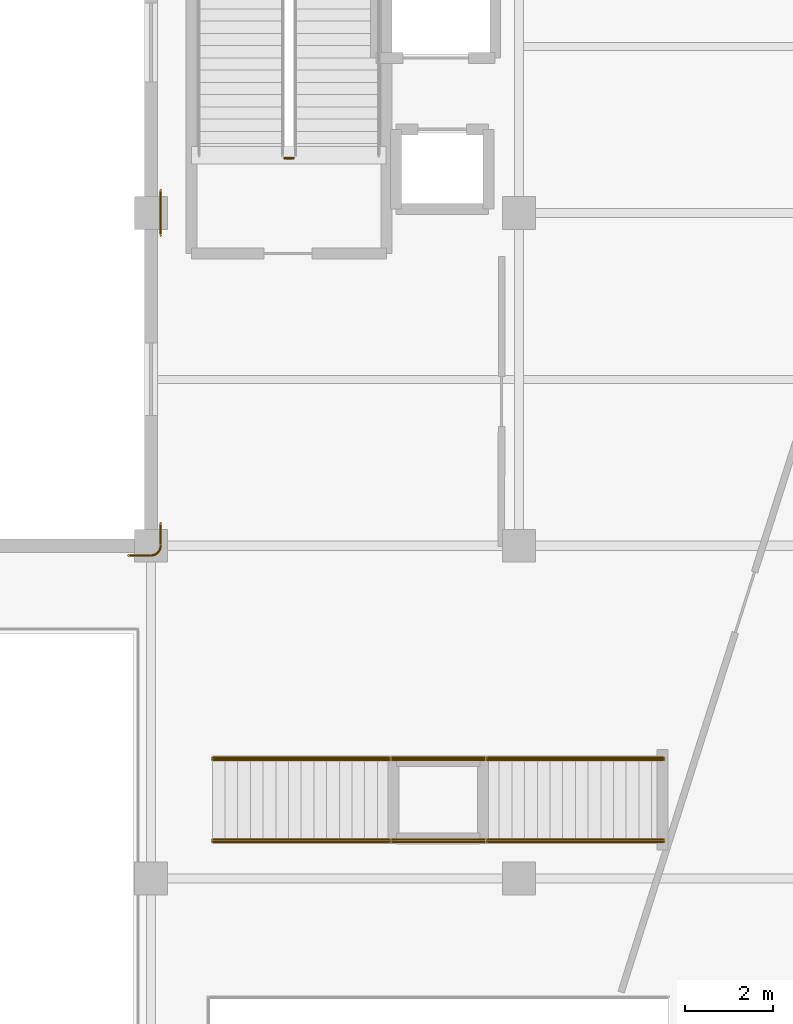
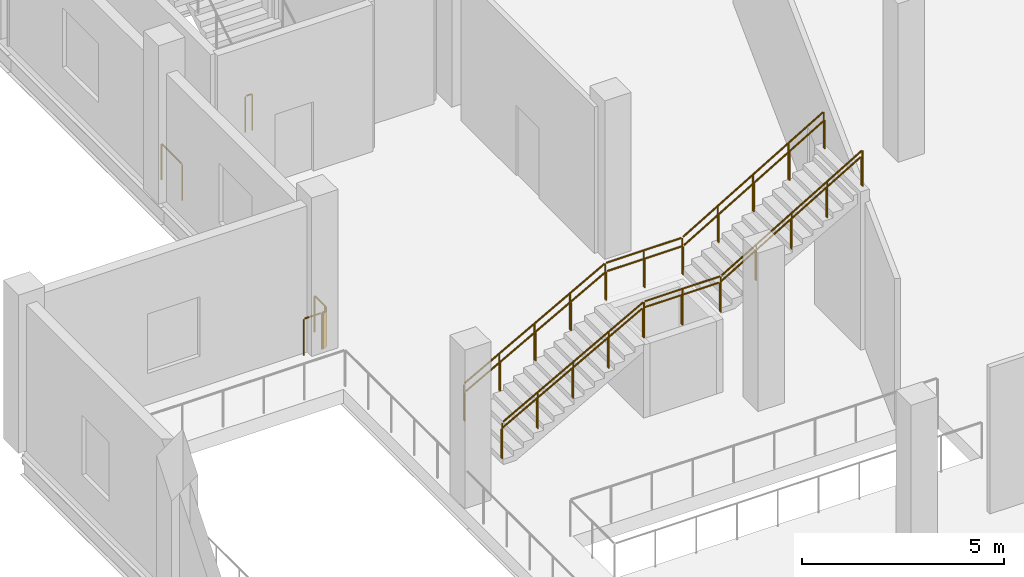
# One storey, part 35 of 51: 7 railings.
"""IFC4 building model written with IfcOpenShell, lengths in metres."""

from ifc_helpers import new_model, si_unit, direction, frame, origin, origin_2d, place, context, subcontext, project, spatial, circle, extrude, material, type_object, element, save


model = new_model("IFC4")

# Units and contexts
model_context = context("Model", 3, precision=1e-05, world=origin(), true_north=direction((0.0, 1.0)))
body_context = subcontext(model_context, "Body", "Model", "MODEL_VIEW")
ifc_project = project(units=[si_unit("LENGTHUNIT", "METRE"), si_unit("AREAUNIT", "SQUARE_METRE"), si_unit("VOLUMEUNIT", "CUBIC_METRE"), si_unit("PLANEANGLEUNIT", "RADIAN"), si_unit("MASSUNIT", "GRAM", prefix="KILO")], contexts=[model_context])

# Site, building, storey
site_placement = place(None, origin())
site = spatial("IfcSite", under=ifc_project, at=site_placement, CompositionType="ELEMENT")
building_placement = place(site_placement, origin())
building = spatial("IfcBuilding", under=site, at=building_placement, Name="Zuvorla Pavilion Media Centre", CompositionType="ELEMENT")
storey_placement = place(building_placement, frame((0.0, 0.0, 4.800048828125)))
storey = spatial("IfcBuildingStorey", under=building, at=storey_placement, Name="L01", CompositionType="ELEMENT", Elevation=4.800048828125)

# Railings
ifc_material_1 = material(Name="Powder-coated steel balustrade guard", Category="steel")
railing_type_1 = type_object("IfcRailingType", Name="RL-INT-GRD", PredefinedType="BALUSTRADE", material=ifc_material_1)
railing_1_placement = place(storey_placement, frame((44.85009765625, 37.64990234375, 0.0)))
element("IfcRailing", 1, at=railing_1_placement, inside=storey, type_object=railing_type_1, Name="L01 ST-03 stair guard 4", PredefinedType="BALUSTRADE", context=body_context, shape_type="SweptSolid", body=[
    extrude(circle(Radius=0.02392578125, at=origin_2d()), frame((-0.02880859375, 0.0, 1.09619140625), z_axis=(-1.0, 0.0, 0.0), x_axis=(0.0, -1.0, 0.0)), (0.0, 0.0, 1.0), 0.142578125),
    extrude(circle(Radius=0.02099609375, at=origin_2d()), origin(), (0.0, 0.0, 1.0), 1.070068359375),
    extrude(circle(Radius=0.02099609375, at=origin_2d()), frame((-0.2001953125, 0.0, 0.0)), (0.0, 0.0, 1.0), 1.070068359375),
])
railing_2_placement = place(storey_placement, frame((43.0, 22.0400390625, 0.159912109375)))
element("IfcRailing", 2, at=railing_2_placement, inside=storey, type_object=railing_type_1, Name="ST-08 side guard S", PredefinedType="BALUSTRADE", context=body_context, shape_type="SweptSolid", body=[
    extrude(circle(Radius=0.02392578125, at=origin_2d()), frame((0.025146484375, 0.0, 1.110107421875), z_axis=(0.875581523614, 0.0, 0.483070383594), x_axis=(0.0, 1.0, 0.0)), (0.0, 0.0, 1.0), 4.579345703125),
    extrude(circle(Radius=0.02392578125, at=origin_2d()), frame((4.0888671875, 0.0, 3.3359375), z_axis=(1.0, 0.0, 0.0), x_axis=(0.0, 1.0, 0.0)), (0.0, 0.0, 1.0), 2.142333984375),
    extrude(circle(Radius=0.02392578125, at=origin_2d()), frame((6.284912109375, 0.0, 3.350830078125), z_axis=(0.860831705478, 0.0, 0.508889747237), x_axis=(0.0, 1.0, 0.0)), (0.0, 0.0, 1.0), 4.65869140625),
    extrude(circle(Radius=0.02099609375, at=origin_2d()), origin(), (0.0, 0.0, 1.0), 1.070068359375),
    extrude(circle(Radius=0.02099609375, at=origin_2d()), frame((1.01513671875, 0.0, 0.56005859375)), (0.0, 0.0, 1.0), 1.070068359375),
    extrude(circle(Radius=0.02099609375, at=origin_2d()), frame((2.030029296875, 0.0, 1.1201171875)), (0.0, 0.0, 1.0), 1.070068359375),
    extrude(circle(Radius=0.02099609375, at=origin_2d()), frame((3.044921875, 0.0, 1.679931640625)), (0.0, 0.0, 1.0), 1.070068359375),
    extrude(circle(Radius=0.02099609375, at=origin_2d()), frame((4.06005859375, 0.0, 2.239990234375)), (0.0, 0.0, 1.0), 1.070068359375),
    extrude(circle(Radius=0.02099609375, at=origin_2d()), frame((5.16015625, 0.0, 2.239990234375)), (0.0, 0.0, 1.0), 1.070068359375),
    extrude(circle(Radius=0.02099609375, at=origin_2d()), frame((6.260009765625, 0.0, 2.239990234375)), (0.0, 0.0, 1.0), 1.070068359375),
    extrude(circle(Radius=0.02099609375, at=origin_2d()), frame((7.27490234375, 0.0, 2.840087890625)), (0.0, 0.0, 1.0), 1.070068359375),
    extrude(circle(Radius=0.02099609375, at=origin_2d()), frame((8.2900390625, 0.0, 3.43994140625)), (0.0, 0.0, 1.0), 1.070068359375),
    extrude(circle(Radius=0.02099609375, at=origin_2d()), frame((9.30517578125, 0.0, 4.0400390625)), (0.0, 0.0, 1.0), 1.070068359375),
    extrude(circle(Radius=0.02099609375, at=origin_2d()), frame((10.320068359375, 0.0, 4.64013671875)), (0.0, 0.0, 1.0), 1.070068359375),
])
railing_3_placement = place(storey_placement, frame((43.0, 23.9599609375, 0.159912109375)))
element("IfcRailing", 3, at=railing_3_placement, inside=storey, type_object=railing_type_1, Name="ST-08 side guard N", PredefinedType="BALUSTRADE", context=body_context, shape_type="SweptSolid", body=[
    extrude(circle(Radius=0.02392578125, at=origin_2d()), frame((0.025146484375, 0.0, 1.110107421875), z_axis=(0.875581523614, 0.0, 0.483070383594), x_axis=(0.0, 1.0, 0.0)), (0.0, 0.0, 1.0), 4.579345703125),
    extrude(circle(Radius=0.02392578125, at=origin_2d()), frame((4.0888671875, 0.0, 3.3359375), z_axis=(1.0, 0.0, 0.0), x_axis=(0.0, 1.0, 0.0)), (0.0, 0.0, 1.0), 2.142333984375),
    extrude(circle(Radius=0.02392578125, at=origin_2d()), frame((6.284912109375, 0.0, 3.350830078125), z_axis=(0.860831705478, 0.0, 0.508889747237), x_axis=(0.0, 1.0, 0.0)), (0.0, 0.0, 1.0), 4.65869140625),
    extrude(circle(Radius=0.02099609375, at=origin_2d()), origin(), (0.0, 0.0, 1.0), 1.070068359375),
    extrude(circle(Radius=0.02099609375, at=origin_2d()), frame((1.01513671875, 0.0, 0.56005859375)), (0.0, 0.0, 1.0), 1.070068359375),
    extrude(circle(Radius=0.02099609375, at=origin_2d()), frame((2.030029296875, 0.0, 1.1201171875)), (0.0, 0.0, 1.0), 1.070068359375),
    extrude(circle(Radius=0.02099609375, at=origin_2d()), frame((3.044921875, 0.0, 1.679931640625)), (0.0, 0.0, 1.0), 1.070068359375),
    extrude(circle(Radius=0.02099609375, at=origin_2d()), frame((4.06005859375, 0.0, 2.239990234375)), (0.0, 0.0, 1.0), 1.070068359375),
    extrude(circle(Radius=0.02099609375, at=origin_2d()), frame((5.16015625, 0.0, 2.239990234375)), (0.0, 0.0, 1.0), 1.070068359375),
    extrude(circle(Radius=0.02099609375, at=origin_2d()), frame((6.260009765625, 0.0, 2.239990234375)), (0.0, 0.0, 1.0), 1.070068359375),
    extrude(circle(Radius=0.02099609375, at=origin_2d()), frame((7.27490234375, 0.0, 2.840087890625)), (0.0, 0.0, 1.0), 1.070068359375),
    extrude(circle(Radius=0.02099609375, at=origin_2d()), frame((8.2900390625, 0.0, 3.43994140625)), (0.0, 0.0, 1.0), 1.070068359375),
    extrude(circle(Radius=0.02099609375, at=origin_2d()), frame((9.30517578125, 0.0, 4.0400390625)), (0.0, 0.0, 1.0), 1.070068359375),
    extrude(circle(Radius=0.02099609375, at=origin_2d()), frame((10.320068359375, 0.0, 4.64013671875)), (0.0, 0.0, 1.0), 1.070068359375),
])
railing_4_placement = place(storey_placement, frame((41.0849609375, 28.580078125, 0.0)))
element("IfcRailing", 4, at=railing_4_placement, inside=storey, type_object=railing_type_1, Name="L01 slab edge guard 22", PredefinedType="BALUSTRADE", context=body_context, shape_type="SweptSolid", body=[
    extrude(circle(Radius=0.02392578125, at=origin_2d()), frame((0.02880859375, 0.0, 1.09619140625), z_axis=(1.0, 0.0, 0.0), x_axis=(0.0, 1.0, 0.0)), (0.0, 0.0, 1.0), 0.45751953125),
    extrude(circle(Radius=0.02392578125, at=origin_2d()), frame((0.518310546875, 0.000244140625, 1.09619140625), z_axis=(0.99896854021, 0.045407660919, 0.0), x_axis=(-0.045407660919, 0.99896854021, 0.0)), (0.0, 0.0, 1.0), 0.02001953125),
    extrude(circle(Radius=0.02392578125, at=origin_2d()), frame((0.539794921875, 0.00146484375, 1.09619140625), z_axis=(0.989019580795, 0.147784535061, 0.0), x_axis=(-0.147784535061, 0.989019580795, 0.0)), (0.0, 0.0, 1.0), 0.02001953125),
    extrude(circle(Radius=0.02392578125, at=origin_2d()), frame((0.56103515625, 0.0048828125, 1.09619140625), z_axis=(0.968802704478, 0.247833249983, 0.0), x_axis=(-0.247833249983, 0.968802704478, 0.0)), (0.0, 0.0, 1.0), 0.02001953125),
    extrude(circle(Radius=0.02392578125, at=origin_2d()), frame((0.581787109375, 0.010498046875, 1.09619140625), z_axis=(0.94403554212, 0.329843743632, 0.0), x_axis=(-0.329843743632, 0.94403554212, 0.0)), (0.0, 0.0, 1.0), 0.02001953125),
    extrude(circle(Radius=0.02392578125, at=origin_2d()), frame((0.60205078125, 0.01806640625, 1.09619140625), z_axis=(0.903277504354, 0.429056814568, 0.0), x_axis=(-0.429056814568, 0.903277504354, 0.0)), (0.0, 0.0, 1.0), 0.02001953125),
    extrude(circle(Radius=0.02392578125, at=origin_2d()), frame((0.621337890625, 0.027587890625, 1.09619140625), z_axis=(0.855500079018, 0.517802679406, 0.0), x_axis=(-0.517802679406, 0.855500079018, 0.0)), (0.0, 0.0, 1.0), 0.02001953125),
    extrude(circle(Radius=0.02392578125, at=origin_2d()), frame((0.639892578125, 0.0390625, 1.09619140625), z_axis=(0.806766093747, 0.590870941899, 0.0), x_axis=(-0.590870941899, 0.806766093747, 0.0)), (0.0, 0.0, 1.0), 0.02001953125),
    extrude(circle(Radius=0.02392578125, at=origin_2d()), frame((0.656982421875, 0.052001953125, 1.09619140625), z_axis=(0.74553667449, 0.666464602953, 0.0), x_axis=(-0.666464602953, 0.74553667449, 0.0)), (0.0, 0.0, 1.0), 0.02001953125),
    extrude(circle(Radius=0.02392578125, at=origin_2d()), frame((0.6728515625, 0.066650390625, 1.09619140625), z_axis=(0.666464602953, 0.74553667449, 0.0), x_axis=(-0.74553667449, 0.666464602953, 0.0)), (0.0, 0.0, 1.0), 0.02001953125),
    extrude(circle(Radius=0.02392578125, at=origin_2d()), frame((0.68701171875, 0.0830078125, 1.09619140625), z_axis=(0.598192606862, 0.801352360136, 0.0), x_axis=(-0.801352360136, 0.598192606862, 0.0)), (0.0, 0.0, 1.0), 0.02001953125),
    extrude(circle(Radius=0.02392578125, at=origin_2d()), frame((0.69970703125, 0.100341796875, 1.09619140625), z_axis=(0.509492006668, 0.860475389039, 0.0), x_axis=(-0.860475389039, 0.509492006668, 0.0)), (0.0, 0.0, 1.0), 0.02001953125),
    extrude(circle(Radius=0.02392578125, at=origin_2d()), frame((0.71044921875, 0.119140625, 1.09619140625), z_axis=(0.429056814568, 0.903277504354, 0.0), x_axis=(-0.903277504354, 0.429056814568, 0.0)), (0.0, 0.0, 1.0), 0.02001953125),
    extrude(circle(Radius=0.02392578125, at=origin_2d()), frame((0.71923828125, 0.138671875, 1.09619140625), z_axis=(0.339922884022, 0.940453312461, 0.0), x_axis=(-0.940453312461, 0.339922884022, 0.0)), (0.0, 0.0, 1.0), 0.02001953125),
    extrude(circle(Radius=0.02392578125, at=origin_2d()), frame((0.726318359375, 0.1591796875, 1.09619140625), z_axis=(0.247833249983, 0.968802704478, 0.0), x_axis=(-0.968802704478, 0.247833249983, 0.0)), (0.0, 0.0, 1.0), 0.02001953125),
    extrude(circle(Radius=0.02392578125, at=origin_2d()), frame((0.7314453125, 0.18017578125, 1.09619140625), z_axis=(0.136637397137, 0.990621129243, 0.0), x_axis=(-0.990621129243, 0.136637397137, 0.0)), (0.0, 0.0, 1.0), 0.02001953125),
    extrude(circle(Radius=0.02392578125, at=origin_2d()), frame((0.734130859375, 0.201416015625, 1.09619140625), z_axis=(0.056091328211, 0.998425642148, 0.0), x_axis=(-0.998425642148, 0.056091328211, 0.0)), (0.0, 0.0, 1.0), 0.02001953125),
    extrude(circle(Radius=0.02392578125, at=origin_2d()), frame((0.735107421875, 0.248779296875, 1.09619140625), z_axis=(0.0, 1.0, 0.0), x_axis=(-1.0, 0.0, 0.0)), (0.0, 0.0, 1.0), 0.457275390625),
    extrude(circle(Radius=0.02099609375, at=origin_2d()), origin(), (0.0, 0.0, 1.0), 1.070068359375),
    extrude(circle(Radius=0.02099609375, at=origin_2d()), frame((0.51513671875, 0.0, 0.0)), (0.0, 0.0, 1.0), 1.070068359375),
    extrude(circle(Radius=0.02099609375, at=origin_2d()), frame((0.53662109375, 0.0009765625, 0.0)), (0.0, 0.0, 1.0), 1.070068359375),
    extrude(circle(Radius=0.02099609375, at=origin_2d()), frame((0.557861328125, 0.004150390625, 0.0)), (0.0, 0.0, 1.0), 1.070068359375),
    extrude(circle(Radius=0.02099609375, at=origin_2d()), frame((0.578857421875, 0.009521484375, 0.0)), (0.0, 0.0, 1.0), 1.070068359375),
    extrude(circle(Radius=0.02099609375, at=origin_2d()), frame((0.59912109375, 0.0166015625, 0.0)), (0.0, 0.0, 1.0), 1.070068359375),
    extrude(circle(Radius=0.02099609375, at=origin_2d()), frame((0.61865234375, 0.02587890625, 0.0)), (0.0, 0.0, 1.0), 1.070068359375),
    extrude(circle(Radius=0.02099609375, at=origin_2d()), frame((0.63720703125, 0.037109375, 0.0)), (0.0, 0.0, 1.0), 1.070068359375),
    extrude(circle(Radius=0.02099609375, at=origin_2d()), frame((0.654541015625, 0.0498046875, 0.0)), (0.0, 0.0, 1.0), 1.070068359375),
    extrude(circle(Radius=0.02099609375, at=origin_2d()), frame((0.670654296875, 0.064208984375, 0.0)), (0.0, 0.0, 1.0), 1.070068359375),
    extrude(circle(Radius=0.02099609375, at=origin_2d()), frame((0.68505859375, 0.080322265625, 0.0)), (0.0, 0.0, 1.0), 1.070068359375),
    extrude(circle(Radius=0.02099609375, at=origin_2d()), frame((0.697998046875, 0.09765625, 0.0)), (0.0, 0.0, 1.0), 1.070068359375),
    extrude(circle(Radius=0.02099609375, at=origin_2d()), frame((0.708984375, 0.1162109375, 0.0)), (0.0, 0.0, 1.0), 1.070068359375),
    extrude(circle(Radius=0.02099609375, at=origin_2d()), frame((0.71826171875, 0.1357421875, 0.0)), (0.0, 0.0, 1.0), 1.070068359375),
    extrude(circle(Radius=0.02099609375, at=origin_2d()), frame((0.7255859375, 0.156005859375, 0.0)), (0.0, 0.0, 1.0), 1.070068359375),
    extrude(circle(Radius=0.02099609375, at=origin_2d()), frame((0.73095703125, 0.177001953125, 0.0)), (0.0, 0.0, 1.0), 1.070068359375),
    extrude(circle(Radius=0.02099609375, at=origin_2d()), frame((0.73388671875, 0.1982421875, 0.0)), (0.0, 0.0, 1.0), 1.070068359375),
    extrude(circle(Radius=0.02099609375, at=origin_2d()), frame((0.735107421875, 0.219970703125, 0.0)), (0.0, 0.0, 1.0), 1.070068359375),
    extrude(circle(Radius=0.02099609375, at=origin_2d()), frame((0.735107421875, 0.73486328125, 0.0)), (0.0, 0.0, 1.0), 1.070068359375),
])
railing_5_placement = place(storey_placement, frame((41.820068359375, 35.885009765625, 0.0)))
element("IfcRailing", 5, at=railing_5_placement, inside=storey, type_object=railing_type_1, Name="L01 slab edge guard 23", PredefinedType="BALUSTRADE", context=body_context, shape_type="SweptSolid", body=[
    extrude(circle(Radius=0.02392578125, at=origin_2d()), frame((0.0, 0.02880859375, 1.09619140625), z_axis=(0.0, 1.0, 0.0), x_axis=(-1.0, 0.0, 0.0)), (0.0, 0.0, 1.0), 0.972412109375),
    extrude(circle(Radius=0.02099609375, at=origin_2d()), origin(), (0.0, 0.0, 1.0), 1.070068359375),
    extrude(circle(Radius=0.02099609375, at=origin_2d()), frame((0.0, 1.030029296875, 0.0)), (0.0, 0.0, 1.0), 1.070068359375),
])
ifc_material_2 = material(Name="Brushed stainless steel tubular handrail", Category="steel")
railing_type_2 = type_object("IfcRailingType", Name="RL-INT-HND", PredefinedType="HANDRAIL", material=ifc_material_2)
railing_6_placement = place(storey_placement, frame((43.0, 22.090087890625, 0.159912109375)))
element("IfcRailing", 6, at=railing_6_placement, inside=storey, type_object=railing_type_2, Name="ST-08 handrail S", PredefinedType="HANDRAIL", context=body_context, shape_type="SweptSolid", body=[
    extrude(circle(Radius=0.02392578125, at=origin_2d()), frame((0.025146484375, 0.0, 0.889892578125), z_axis=(0.875581523614, 0.0, 0.483070383594), x_axis=(0.0, 1.0, 0.0)), (0.0, 0.0, 1.0), 4.579345703125),
    extrude(circle(Radius=0.02392578125, at=origin_2d()), frame((4.0888671875, 0.0, 3.11572265625), z_axis=(1.0, 0.0, 0.0), x_axis=(0.0, 1.0, 0.0)), (0.0, 0.0, 1.0), 2.142333984375),
    extrude(circle(Radius=0.02392578125, at=origin_2d()), frame((6.284912109375, 0.0, 3.130615234375), z_axis=(0.860831705478, 0.0, 0.508889747237), x_axis=(0.0, 1.0, 0.0)), (0.0, 0.0, 1.0), 4.65869140625),
    extrude(circle(Radius=0.02099609375, at=origin_2d()), origin(), (0.0, 0.0, 1.0), 0.849853515625),
    extrude(circle(Radius=0.02099609375, at=origin_2d()), frame((1.01513671875, 0.0, 0.56005859375)), (0.0, 0.0, 1.0), 0.849853515625),
    extrude(circle(Radius=0.02099609375, at=origin_2d()), frame((2.030029296875, 0.0, 1.1201171875)), (0.0, 0.0, 1.0), 0.849853515625),
    extrude(circle(Radius=0.02099609375, at=origin_2d()), frame((3.044921875, 0.0, 1.679931640625)), (0.0, 0.0, 1.0), 0.849853515625),
    extrude(circle(Radius=0.02099609375, at=origin_2d()), frame((4.06005859375, 0.0, 2.239990234375)), (0.0, 0.0, 1.0), 0.849853515625),
    extrude(circle(Radius=0.02099609375, at=origin_2d()), frame((5.16015625, 0.0, 2.239990234375)), (0.0, 0.0, 1.0), 0.849853515625),
    extrude(circle(Radius=0.02099609375, at=origin_2d()), frame((6.260009765625, 0.0, 2.239990234375)), (0.0, 0.0, 1.0), 0.849853515625),
    extrude(circle(Radius=0.02099609375, at=origin_2d()), frame((7.27490234375, 0.0, 2.840087890625)), (0.0, 0.0, 1.0), 0.849853515625),
    extrude(circle(Radius=0.02099609375, at=origin_2d()), frame((8.2900390625, 0.0, 3.43994140625)), (0.0, 0.0, 1.0), 0.849853515625),
    extrude(circle(Radius=0.02099609375, at=origin_2d()), frame((9.30517578125, 0.0, 4.0400390625)), (0.0, 0.0, 1.0), 0.849853515625),
    extrude(circle(Radius=0.02099609375, at=origin_2d()), frame((10.320068359375, 0.0, 4.64013671875)), (0.0, 0.0, 1.0), 0.849853515625),
])
railing_7_placement = place(storey_placement, frame((43.0, 23.909912109375, 0.159912109375)))
element("IfcRailing", 7, at=railing_7_placement, inside=storey, type_object=railing_type_2, Name="ST-08 handrail N", PredefinedType="HANDRAIL", context=body_context, shape_type="SweptSolid", body=[
    extrude(circle(Radius=0.02392578125, at=origin_2d()), frame((0.025146484375, 0.0, 0.889892578125), z_axis=(0.875581523614, 0.0, 0.483070383594), x_axis=(0.0, 1.0, 0.0)), (0.0, 0.0, 1.0), 4.579345703125),
    extrude(circle(Radius=0.02392578125, at=origin_2d()), frame((4.0888671875, 0.0, 3.11572265625), z_axis=(1.0, 0.0, 0.0), x_axis=(0.0, 1.0, 0.0)), (0.0, 0.0, 1.0), 2.142333984375),
    extrude(circle(Radius=0.02392578125, at=origin_2d()), frame((6.284912109375, 0.0, 3.130615234375), z_axis=(0.860831705478, 0.0, 0.508889747237), x_axis=(0.0, 1.0, 0.0)), (0.0, 0.0, 1.0), 4.65869140625),
    extrude(circle(Radius=0.02099609375, at=origin_2d()), origin(), (0.0, 0.0, 1.0), 0.849853515625),
    extrude(circle(Radius=0.02099609375, at=origin_2d()), frame((1.01513671875, 0.0, 0.56005859375)), (0.0, 0.0, 1.0), 0.849853515625),
    extrude(circle(Radius=0.02099609375, at=origin_2d()), frame((2.030029296875, 0.0, 1.1201171875)), (0.0, 0.0, 1.0), 0.849853515625),
    extrude(circle(Radius=0.02099609375, at=origin_2d()), frame((3.044921875, 0.0, 1.679931640625)), (0.0, 0.0, 1.0), 0.849853515625),
    extrude(circle(Radius=0.02099609375, at=origin_2d()), frame((4.06005859375, 0.0, 2.239990234375)), (0.0, 0.0, 1.0), 0.849853515625),
    extrude(circle(Radius=0.02099609375, at=origin_2d()), frame((5.16015625, 0.0, 2.239990234375)), (0.0, 0.0, 1.0), 0.849853515625),
    extrude(circle(Radius=0.02099609375, at=origin_2d()), frame((6.260009765625, 0.0, 2.239990234375)), (0.0, 0.0, 1.0), 0.849853515625),
    extrude(circle(Radius=0.02099609375, at=origin_2d()), frame((7.27490234375, 0.0, 2.840087890625)), (0.0, 0.0, 1.0), 0.849853515625),
    extrude(circle(Radius=0.02099609375, at=origin_2d()), frame((8.2900390625, 0.0, 3.43994140625)), (0.0, 0.0, 1.0), 0.849853515625),
    extrude(circle(Radius=0.02099609375, at=origin_2d()), frame((9.30517578125, 0.0, 4.0400390625)), (0.0, 0.0, 1.0), 0.849853515625),
    extrude(circle(Radius=0.02099609375, at=origin_2d()), frame((10.320068359375, 0.0, 4.64013671875)), (0.0, 0.0, 1.0), 0.849853515625),
])

save(model, "model.ifc")
